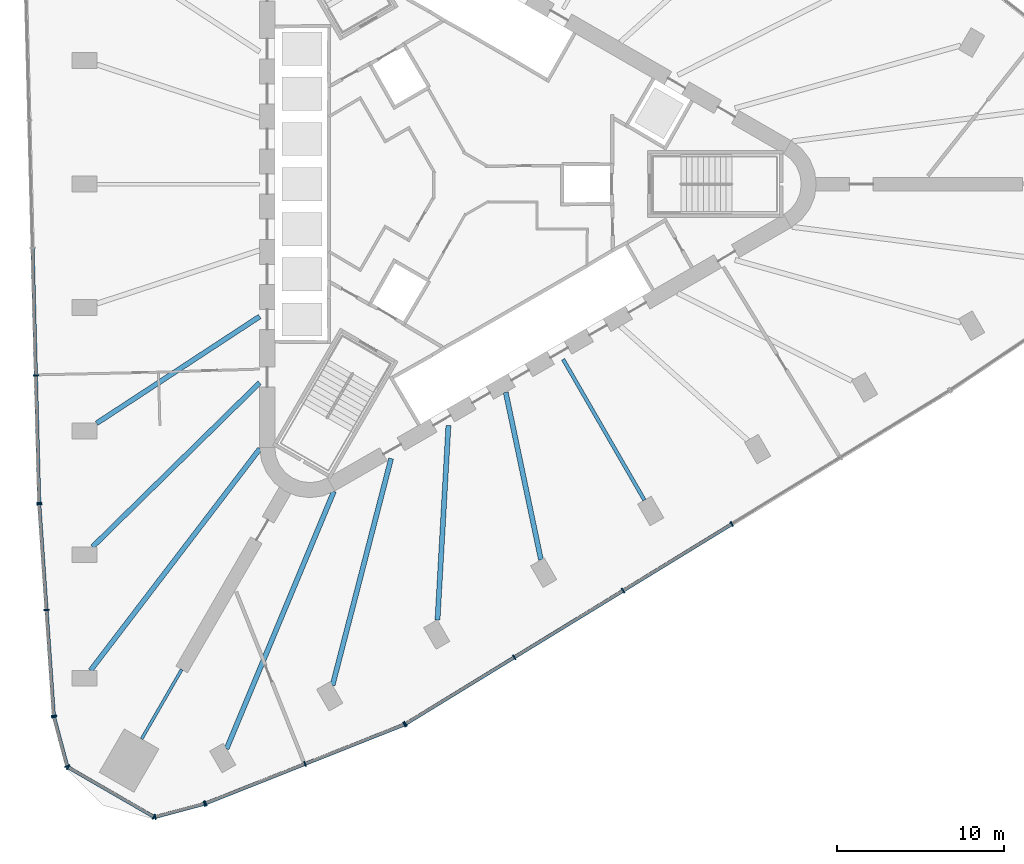
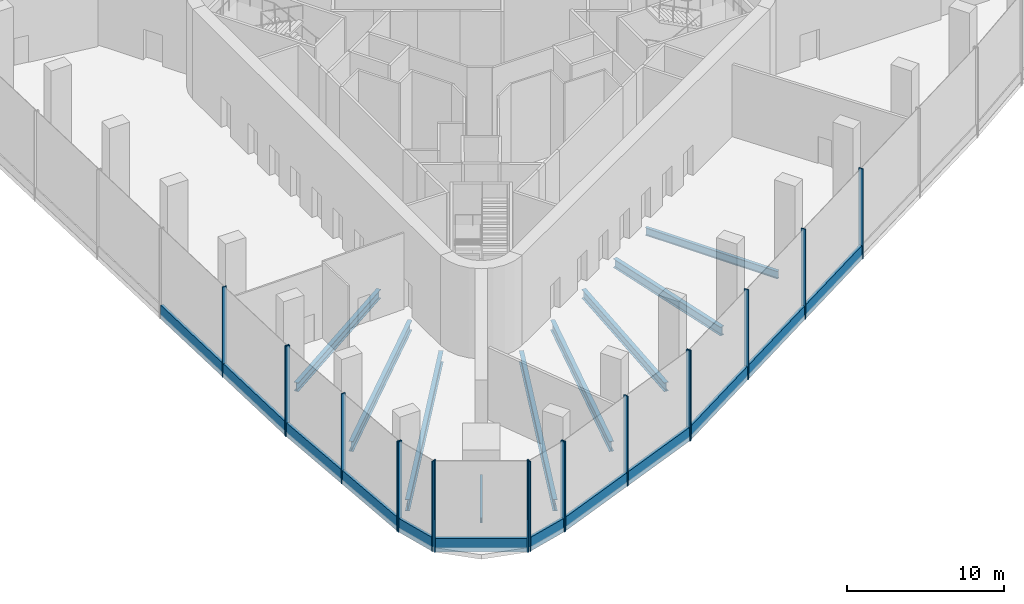
# One storey, part 2 of 15: 30 members, 9 beams, 7 elements without a shape of their own.
"""IFC4 building model written with IfcOpenShell, lengths in metres."""

from ifc_helpers import new_model, si_unit, direction, frame, origin, origin_2d, place, context, subcontext, project, spatial, rectangle, i_section, extrude, material, material_profile, profile_set, type_object, element, aggregate, save


model = new_model("IFC4")

# Units and contexts
model_context = context("Model", 3, precision=1e-05, world=origin(), true_north=direction((0.0, 1.0)))
body_context = subcontext(model_context, "Body", "Model", "MODEL_VIEW")
ifc_project = project(units=[si_unit("LENGTHUNIT", "METRE"), si_unit("AREAUNIT", "SQUARE_METRE"), si_unit("VOLUMEUNIT", "CUBIC_METRE"), si_unit("PLANEANGLEUNIT", "RADIAN"), si_unit("MASSUNIT", "GRAM", prefix="KILO")], contexts=[model_context])

# Site, building, storey
site_placement = place(None, origin())
site = spatial("IfcSite", under=ifc_project, at=site_placement, CompositionType="ELEMENT")
building_placement = place(site_placement, origin())
building = spatial("IfcBuilding", under=site, at=building_placement, Name="Tanit Gate Tower", CompositionType="ELEMENT")
storey_placement = place(building_placement, frame((0.0, 0.0, 156.199951171875)))
storey = spatial("IfcBuildingStorey", under=building, at=storey_placement, Name="L34", CompositionType="ELEMENT", Elevation=156.199951171875)

# Curtain wall, members
ifc_material_1 = material(Name="Aluminium bronze anodised and glass", Category="aluminium")
curtain_wall_type = type_object("IfcCurtainWallType", Name="Curtain wall sky lobby", PredefinedType="NOTDEFINED", material=ifc_material_1)
curtain_wall_1_placement = place(storey_placement, origin())
curtain_wall_1 = element("IfcCurtainWall", 1, at=curtain_wall_1_placement, inside=storey, type_object=curtain_wall_type, Name="Curtain wall L34 W2", PredefinedType="NOTDEFINED")
ifc_material_2 = material(Name="Aluminium bronze anodised", Category="aluminium")
ifc_material_profile_1 = material_profile(ifc_material_2, rectangle(XDim=0.320068359375, YDim=0.080078125, at=origin_2d()), Name="80x320 bronze mullion")
ifc_profile_set_1 = profile_set([ifc_material_profile_1], Name="Aluminium bronze anodised")
member_type_1 = type_object("IfcMemberType", Name="Mullion 80x320 sky lobby", PredefinedType="MULLION", material=ifc_profile_set_1)
member_1_placement = place(storey_placement, frame((-25.49072265625, -11.444580078125, -0.349853515625), z_axis=(0.0, 0.0, 1.0), x_axis=(0.999663917086, 0.025923982634, 0.0)))
member_1 = element("IfcMember", 2, at=member_1_placement, type_object=member_type_1, Name="Mullion L34 W2.5", PredefinedType="MULLION", context=body_context, shape_type="SweptSolid", body=[
    extrude(rectangle(XDim=0.320068359375, YDim=0.080078125, at=origin_2d()), origin(), (0.0, 0.0, 1.0), 7.0),
])
member_2_placement = place(storey_placement, frame((-25.292724609375, -19.07373046875, -0.349853515625), z_axis=(0.0, 0.0, 1.0), x_axis=(0.999663917086, 0.025923982634, 0.0)))
member_2 = element("IfcMember", 3, at=member_2_placement, type_object=member_type_1, Name="Mullion L34 W2.6", PredefinedType="MULLION", context=body_context, shape_type="SweptSolid", body=[
    extrude(rectangle(XDim=0.320068359375, YDim=0.080078125, at=origin_2d()), origin(), (0.0, 0.0, 1.0), 7.0),
])

curtain_wall_2_placement = place(storey_placement, origin())
curtain_wall_2 = element("IfcCurtainWall", 4, at=curtain_wall_2_placement, inside=storey, type_object=curtain_wall_type, Name="Curtain wall L34 W3", PredefinedType="NOTDEFINED")
member_3_placement = place(storey_placement, frame((-25.2890625, -19.15380859375, -0.349853515625), z_axis=(0.0, 0.0, 1.0), x_axis=(0.997629662315, 0.068811749506, 0.0)))
member_3 = element("IfcMember", 5, at=member_3_placement, type_object=member_type_1, Name="Mullion L34 W3.1", PredefinedType="MULLION", context=body_context, shape_type="SweptSolid", body=[
    extrude(rectangle(XDim=0.320068359375, YDim=0.080078125, at=origin_2d()), origin(), (0.0, 0.0, 1.0), 7.0),
])
member_4_placement = place(storey_placement, frame((-24.8525390625, -25.47998046875, -0.349853515625), z_axis=(0.0, 0.0, 1.0), x_axis=(0.997629662315, 0.068811749506, 0.0)))
member_4 = element("IfcMember", 6, at=member_4_placement, type_object=member_type_1, Name="Mullion L34 W3.2", PredefinedType="MULLION", context=body_context, shape_type="SweptSolid", body=[
    extrude(rectangle(XDim=0.320068359375, YDim=0.080078125, at=origin_2d()), origin(), (0.0, 0.0, 1.0), 7.0),
])
member_5_placement = place(storey_placement, frame((-24.416259765625, -31.80615234375, -0.349853515625), z_axis=(0.0, 0.0, 1.0), x_axis=(0.997629662315, 0.068811749506, 0.0)))
member_5 = element("IfcMember", 7, at=member_5_placement, type_object=member_type_1, Name="Mullion L34 W3.3", PredefinedType="MULLION", context=body_context, shape_type="SweptSolid", body=[
    extrude(rectangle(XDim=0.320068359375, YDim=0.080078125, at=origin_2d()), origin(), (0.0, 0.0, 1.0), 7.0),
])

curtain_wall_3_placement = place(storey_placement, origin())
curtain_wall_3 = element("IfcCurtainWall", 8, at=curtain_wall_3_placement, inside=storey, type_object=curtain_wall_type, Name="Curtain wall L34 SW.arc1", PredefinedType="NOTDEFINED")
member_6_placement = place(storey_placement, frame((-24.403076171875, -31.884521484375, -0.349853515625), z_axis=(0.0, 0.0, 1.0), x_axis=(0.965925826289, 0.258819045103, 0.0)))
member_6 = element("IfcMember", 9, at=member_6_placement, type_object=member_type_1, Name="Mullion L34 SW.arc1.1", PredefinedType="MULLION", context=body_context, shape_type="SweptSolid", body=[
    extrude(rectangle(XDim=0.320068359375, YDim=0.080078125, at=origin_2d()), origin(), (0.0, 0.0, 1.0), 7.0),
])
member_7_placement = place(storey_placement, frame((-23.61328125, -34.832275390625, -0.349853515625), z_axis=(0.0, 0.0, 1.0), x_axis=(0.965925826289, 0.258819045103, 0.0)))
member_7 = element("IfcMember", 10, at=member_7_placement, type_object=member_type_1, Name="Mullion L34 SW.arc1.2", PredefinedType="MULLION", context=body_context, shape_type="SweptSolid", body=[
    extrude(rectangle(XDim=0.320068359375, YDim=0.080078125, at=origin_2d()), origin(), (0.0, 0.0, 1.0), 7.0),
])

curtain_wall_4_placement = place(storey_placement, origin())
curtain_wall_4 = element("IfcCurtainWall", 11, at=curtain_wall_4_placement, inside=storey, type_object=curtain_wall_type, Name="Curtain wall L34 SW.arc2", PredefinedType="NOTDEFINED")
member_8_placement = place(storey_placement, frame((-23.568359375, -34.89111328125, -0.349853515625), z_axis=(0.0, 0.0, 1.0), x_axis=(0.5, 0.866025403784, 0.0)))
member_8 = element("IfcMember", 12, at=member_8_placement, type_object=member_type_1, Name="Mullion L34 SW.arc2.1", PredefinedType="MULLION", context=body_context, shape_type="SweptSolid", body=[
    extrude(rectangle(XDim=0.320068359375, YDim=0.080078125, at=origin_2d()), origin(), (0.0, 0.0, 1.0), 7.0),
])
member_9_placement = place(storey_placement, frame((-18.432373046875, -37.856201171875, -0.349853515625), z_axis=(0.0, 0.0, 1.0), x_axis=(0.5, 0.866025403784, 0.0)))
member_9 = element("IfcMember", 13, at=member_9_placement, type_object=member_type_1, Name="Mullion L34 SW.arc2.2", PredefinedType="MULLION", context=body_context, shape_type="SweptSolid", body=[
    extrude(rectangle(XDim=0.320068359375, YDim=0.080078125, at=origin_2d()), origin(), (0.0, 0.0, 1.0), 7.0),
])

curtain_wall_5_placement = place(storey_placement, origin())
curtain_wall_5 = element("IfcCurtainWall", 14, at=curtain_wall_5_placement, inside=storey, type_object=curtain_wall_type, Name="Curtain wall L34 SW.arc3", PredefinedType="NOTDEFINED")
member_10_placement = place(storey_placement, frame((-18.359130859375, -37.865966796875, -0.349853515625), z_axis=(0.0, 0.0, 1.0), x_axis=(-0.258819045103, 0.965925826289, 0.0)))
member_10 = element("IfcMember", 15, at=member_10_placement, type_object=member_type_1, Name="Mullion L34 SW.arc3.1", PredefinedType="MULLION", context=body_context, shape_type="SweptSolid", body=[
    extrude(rectangle(XDim=0.320068359375, YDim=0.080078125, at=origin_2d()), origin(), (0.0, 0.0, 1.0), 7.0),
])
member_11_placement = place(storey_placement, frame((-15.40673828125, -37.074951171875, -0.349853515625), z_axis=(0.0, 0.0, 1.0), x_axis=(-0.258819045103, 0.965925826289, 0.0)))
member_11 = element("IfcMember", 16, at=member_11_placement, type_object=member_type_1, Name="Mullion L34 SW.arc3.2", PredefinedType="MULLION", context=body_context, shape_type="SweptSolid", body=[
    extrude(rectangle(XDim=0.320068359375, YDim=0.080078125, at=origin_2d()), origin(), (0.0, 0.0, 1.0), 7.0),
])

curtain_wall_6_placement = place(storey_placement, origin())
curtain_wall_6 = element("IfcCurtainWall", 17, at=curtain_wall_6_placement, inside=storey, type_object=curtain_wall_type, Name="Curtain wall L34 SE1", PredefinedType="NOTDEFINED")
member_12_placement = place(storey_placement, frame((-15.3310546875, -37.0498046875, -0.349853515625), z_axis=(0.0, 0.0, 1.0), x_axis=(-0.368937829038, 0.929454075414, 0.0)))
member_12 = element("IfcMember", 18, at=member_12_placement, type_object=member_type_1, Name="Mullion L34 SE1.1", PredefinedType="MULLION", context=body_context, shape_type="SweptSolid", body=[
    extrude(rectangle(XDim=0.320068359375, YDim=0.080078125, at=origin_2d()), origin(), (0.0, 0.0, 1.0), 7.0),
])
member_13_placement = place(storey_placement, frame((-9.38916015625, -34.691162109375, -0.349853515625), z_axis=(0.0, 0.0, 1.0), x_axis=(-0.368937829038, 0.929454075414, 0.0)))
member_13 = element("IfcMember", 19, at=member_13_placement, type_object=member_type_1, Name="Mullion L34 SE1.2", PredefinedType="MULLION", context=body_context, shape_type="SweptSolid", body=[
    extrude(rectangle(XDim=0.320068359375, YDim=0.080078125, at=origin_2d()), origin(), (0.0, 0.0, 1.0), 7.0),
])
member_14_placement = place(storey_placement, frame((-3.447265625, -32.332763671875, -0.349853515625), z_axis=(0.0, 0.0, 1.0), x_axis=(-0.368937829038, 0.929454075414, 0.0)))
member_14 = element("IfcMember", 20, at=member_14_placement, type_object=member_type_1, Name="Mullion L34 SE1.3", PredefinedType="MULLION", context=body_context, shape_type="SweptSolid", body=[
    extrude(rectangle(XDim=0.320068359375, YDim=0.080078125, at=origin_2d()), origin(), (0.0, 0.0, 1.0), 7.0),
])

curtain_wall_7_placement = place(storey_placement, origin())
curtain_wall_7 = element("IfcCurtainWall", 21, at=curtain_wall_7_placement, inside=storey, type_object=curtain_wall_type, Name="Curtain wall L34 SE2", PredefinedType="NOTDEFINED")
member_15_placement = place(storey_placement, frame((-3.3759765625, -32.297119140625, -0.349853515625), z_axis=(0.0, 0.0, 1.0), x_axis=(-0.522282786071, 0.852772356127, 0.0)))
member_15 = element("IfcMember", 22, at=member_15_placement, type_object=member_type_1, Name="Mullion L34 SE2.1", PredefinedType="MULLION", context=body_context, shape_type="SweptSolid", body=[
    extrude(rectangle(XDim=0.320068359375, YDim=0.080078125, at=origin_2d()), origin(), (0.0, 0.0, 1.0), 7.0),
])
member_16_placement = place(storey_placement, frame((3.132080078125, -28.31103515625, -0.349853515625), z_axis=(0.0, 0.0, 1.0), x_axis=(-0.522282786071, 0.852772356127, 0.0)))
member_16 = element("IfcMember", 23, at=member_16_placement, type_object=member_type_1, Name="Mullion L34 SE2.2", PredefinedType="MULLION", context=body_context, shape_type="SweptSolid", body=[
    extrude(rectangle(XDim=0.320068359375, YDim=0.080078125, at=origin_2d()), origin(), (0.0, 0.0, 1.0), 7.0),
])
member_17_placement = place(storey_placement, frame((9.640380859375, -24.3251953125, -0.349853515625), z_axis=(0.0, 0.0, 1.0), x_axis=(-0.522282786071, 0.852772356127, 0.0)))
member_17 = element("IfcMember", 24, at=member_17_placement, type_object=member_type_1, Name="Mullion L34 SE2.3", PredefinedType="MULLION", context=body_context, shape_type="SweptSolid", body=[
    extrude(rectangle(XDim=0.320068359375, YDim=0.080078125, at=origin_2d()), origin(), (0.0, 0.0, 1.0), 7.0),
])
member_18_placement = place(storey_placement, frame((16.1484375, -20.339111328125, -0.349853515625), z_axis=(0.0, 0.0, 1.0), x_axis=(-0.522282786071, 0.852772356127, 0.0)))
member_18 = element("IfcMember", 25, at=member_18_placement, type_object=member_type_1, Name="Mullion L34 SE2.4", PredefinedType="MULLION", context=body_context, shape_type="SweptSolid", body=[
    extrude(rectangle(XDim=0.320068359375, YDim=0.080078125, at=origin_2d()), origin(), (0.0, 0.0, 1.0), 7.0),
])

# Beams
ifc_material_3 = material(Name="Steel S355", Category="steel")
ifc_material_profile_2 = material_profile(ifc_material_3, i_section(OverallWidth=0.300048828125, OverallDepth=0.68994140625, WebThickness=0.014404296875, FlangeThickness=0.027099609375, FilletRadius=0.027099609375, at=origin_2d()), Name="HEA 700")
ifc_profile_set_2 = profile_set([ifc_material_profile_2], Name="Steel S355")
beam_type_1 = type_object("IfcBeamType", Name="RADIAL GIRDER HEA 700 S355", PredefinedType="BEAM", material=ifc_profile_set_2)
beam_1_placement = place(storey_placement, frame((-21.856689453125, -14.307861328125, -0.695068359375), z_axis=(0.836666622901, 0.547712481256, 0.0), x_axis=(-0.547712481256, 0.836666622901, 0.0)))
element("IfcBeam", 26, at=beam_1_placement, inside=storey, type_object=beam_type_1, Name="RADIAL GIRDER", PredefinedType="BEAM", context=body_context, shape_type="SweptSolid", body=[
    extrude(i_section(OverallWidth=0.300048828125, OverallDepth=0.68994140625, WebThickness=0.014404296875, FlangeThickness=0.027099609375, FilletRadius=0.027099609375, at=origin_2d()), origin(), (0.0, 0.0, 1.0), 11.658935546875),
])
beam_2_placement = place(storey_placement, frame((-1.46240234375, -26.08251953125, -0.695068359375), z_axis=(0.055972182093, 0.998432328619, 0.0), x_axis=(-0.998432328619, 0.055972182093, 0.0)))
element("IfcBeam", 27, at=beam_2_placement, inside=storey, type_object=beam_type_1, Name="RADIAL GIRDER", PredefinedType="BEAM", context=body_context, shape_type="SweptSolid", body=[
    extrude(i_section(OverallWidth=0.300048828125, OverallDepth=0.68994140625, WebThickness=0.014404296875, FlangeThickness=0.027099609375, FilletRadius=0.027099609375, at=origin_2d()), origin(), (0.0, 0.0, 1.0), 11.6591796875),
])
beam_3_placement = place(storey_placement, frame((4.7275390625, -22.48046875, -0.695068359375), z_axis=(-0.205786947525, 0.978596818015, 0.0), x_axis=(-0.978596818015, -0.205786947525, 0.0)))
element("IfcBeam", 28, at=beam_3_placement, inside=storey, type_object=beam_type_1, Name="RADIAL GIRDER", PredefinedType="BEAM", context=body_context, shape_type="SweptSolid", body=[
    extrude(i_section(OverallWidth=0.300048828125, OverallDepth=0.68994140625, WebThickness=0.014404296875, FlangeThickness=0.027099609375, FilletRadius=0.027099609375, at=origin_2d()), origin(), (0.0, 0.0, 1.0), 10.238525390625),
])
ifc_material_4 = material(Name="Steel S355", Category="steel")
ifc_material_profile_3 = material_profile(ifc_material_4, i_section(OverallWidth=0.300048828125, OverallDepth=0.7900390625, WebThickness=0.014892578125, FlangeThickness=0.028076171875, FilletRadius=0.030029296875, at=origin_2d()), Name="HEA 800")
ifc_profile_set_3 = profile_set([ifc_material_profile_3], Name="Steel S355")
beam_type_2 = type_object("IfcBeamType", Name="RADIAL GIRDER HEA 800 S355", PredefinedType="BEAM", material=ifc_profile_set_3)
for number, where, z_axis, x_axis, name in (
    (29, (-22.0986328125, -21.69921875, -0.744873046875), (0.713525004951, 0.70062976479, 0.0), (-0.70062976479, 0.713525004951, 0.0), "RADIAL GIRDER"),
    (30, (-7.742919921875, -29.98779296875, -0.744873046875), (0.250007137307, 0.968243993679, 0.0), (-0.968243993679, 0.250007137307, 0.0), "RADIAL GIRDER"),
):
    element("IfcBeam", number, at=place(storey_placement, frame(where, z_axis=z_axis, x_axis=x_axis)), inside=storey, type_object=beam_type_2, Name=name, PredefinedType="BEAM", context=body_context, shape_type="SweptSolid", body=[
        extrude(i_section(OverallWidth=0.300048828125, OverallDepth=0.7900390625, WebThickness=0.014892578125, FlangeThickness=0.028076171875, FilletRadius=0.030029296875, at=origin_2d()), origin(), (0.0, 0.0, 1.0), 14.01025390625),
    ])
ifc_material_5 = material(Name="Steel S355", Category="steel")
ifc_material_profile_4 = material_profile(ifc_material_5, i_section(OverallWidth=0.300048828125, OverallDepth=0.889892578125, WebThickness=0.01611328125, FlangeThickness=0.030029296875, FilletRadius=0.030029296875, at=origin_2d()), Name="HEA 900")
ifc_profile_set_4 = profile_set([ifc_material_profile_4], Name="Steel S355")
beam_type_3 = type_object("IfcBeamType", Name="RADIAL GIRDER HEA 900 S355", PredefinedType="BEAM", material=ifc_profile_set_4)
for number, where, z_axis, x_axis, name in (
    (31, (-22.219482421875, -29.0908203125, -0.794921875), (0.606989396765, 0.794709929606, 0.0), (-0.794709929606, 0.606989396765, 0.0), "RADIAL GIRDER"),
    (32, (-14.08349609375, -33.7880859375, -0.794921875), (0.384731757577, 0.923028425733, 0.0), (-0.923028425733, 0.384731757577, 0.0), "RADIAL GIRDER"),
):
    element("IfcBeam", number, at=place(storey_placement, frame(where, z_axis=z_axis, x_axis=x_axis)), inside=storey, type_object=beam_type_3, Name=name, PredefinedType="BEAM", context=body_context, shape_type="SweptSolid", body=[
        extrude(i_section(OverallWidth=0.300048828125, OverallDepth=0.889892578125, WebThickness=0.01611328125, FlangeThickness=0.030029296875, FilletRadius=0.030029296875, at=origin_2d()), origin(), (0.0, 0.0, 1.0), 16.68359375),
    ])
ifc_material_6 = material(Name="Steel S355", Category="steel")
ifc_material_profile_5 = material_profile(ifc_material_6, i_section(OverallWidth=0.179931640625, OverallDepth=0.39990234375, WebThickness=0.008544921875, FlangeThickness=0.013427734375, FilletRadius=0.02099609375, at=origin_2d()), Name="IPE 400")
ifc_profile_set_5 = profile_set([ifc_material_profile_5], Name="Steel S355")
beam_type_4 = type_object("IfcBeamType", Name="RADIAL GIRDER IPE 400 S355", PredefinedType="BEAM", material=ifc_profile_set_5)
beam_4_placement = place(storey_placement, frame((-19.1650390625, -33.19482421875, -0.550048828125), z_axis=(0.499998569178, 0.866026229868, 0.0), x_axis=(-0.866026229868, 0.499998569178, 0.0)))
element("IfcBeam", 33, at=beam_4_placement, inside=storey, type_object=beam_type_4, Name="RADIAL GIRDER", PredefinedType="BEAM", context=body_context, shape_type="SweptSolid", body=[
    extrude(i_section(OverallWidth=0.179931640625, OverallDepth=0.39990234375, WebThickness=0.008544921875, FlangeThickness=0.013427734375, FilletRadius=0.02099609375, at=origin_2d()), origin(), (0.0, 0.0, 1.0), 4.79638671875),
])
ifc_material_7 = material(Name="Steel S355", Category="steel")
ifc_material_profile_6 = material_profile(ifc_material_7, i_section(OverallWidth=0.219970703125, OverallDepth=0.60009765625, WebThickness=0.011962890625, FlangeThickness=0.01904296875, FilletRadius=0.02392578125, at=origin_2d()), Name="IPE 600")
ifc_profile_set_6 = profile_set([ifc_material_profile_6], Name="Steel S355")
beam_type_5 = type_object("IfcBeamType", Name="RADIAL GIRDER IPE 600 S355", PredefinedType="BEAM", material=ifc_profile_set_6)
beam_5_placement = place(storey_placement, frame((10.916259765625, -18.907470703125, -0.64990234375), z_axis=(-0.500003351622, 0.866023468716, 0.0), x_axis=(-0.866023468716, -0.500003351622, 0.0)))
element("IfcBeam", 34, at=beam_5_placement, inside=storey, type_object=beam_type_5, Name="RADIAL GIRDER", PredefinedType="BEAM", context=body_context, shape_type="SweptSolid", body=[
    extrude(i_section(OverallWidth=0.219970703125, OverallDepth=0.60009765625, WebThickness=0.011962890625, FlangeThickness=0.01904296875, FilletRadius=0.02392578125, at=origin_2d()), origin(), (0.0, 0.0, 1.0), 9.73046875),
])

# Member
ifc_material_8 = material(Name="Aluminium bronze anodised", Category="aluminium")
ifc_material_profile_7 = material_profile(ifc_material_8, rectangle(XDim=0.199951171875, YDim=1.050048828125, at=origin_2d()), Name="200x1050 bronze transom")
ifc_profile_set_7 = profile_set([ifc_material_profile_7], Name="Aluminium bronze anodised")
member_type_2 = type_object("IfcMemberType", Name="Transom 200x1050 sky lobby", PredefinedType="USERDEFINED", material=ifc_profile_set_7)
member_19_placement = place(storey_placement, frame((-25.6875, -3.855224609375, 0.175048828125), z_axis=(0.025927507541, -0.99966382567, 0.0), x_axis=(0.99966382567, 0.025927507541, 0.0)))
member_19 = element("IfcMember", 35, at=member_19_placement, type_object=member_type_2, Name="Transom L34 W2.4", ObjectType="TRANSOM", PredefinedType="USERDEFINED", context=body_context, shape_type="SweptSolid", body=[
    extrude(rectangle(XDim=0.199951171875, YDim=1.050048828125, at=origin_2d()), origin(), (0.0, 0.0, 1.0), 7.5517578125),
])

member_20_placement = place(storey_placement, frame((-25.489501953125, -11.484619140625, 0.175048828125), z_axis=(0.025928345485, -0.999663803936, 0.0), x_axis=(0.999663803936, 0.025928345485, 0.0)))
member_20 = element("IfcMember", 36, at=member_20_placement, type_object=member_type_2, Name="Transom L34 W2.5", ObjectType="TRANSOM", PredefinedType="USERDEFINED", context=body_context, shape_type="SweptSolid", body=[
    extrude(rectangle(XDim=0.199951171875, YDim=1.050048828125, at=origin_2d()), origin(), (0.0, 0.0, 1.0), 7.551513671875),
])

aggregate(curtain_wall_1, [member_1, member_2, member_19, member_20])

member_21_placement = place(storey_placement, frame((-25.2861328125, -19.193603515625, 0.175048828125), z_axis=(0.068783356585, -0.997631620317, 0.0), x_axis=(0.997631620317, 0.068783356585, 0.0)))
member_21 = element("IfcMember", 37, at=member_21_placement, type_object=member_type_2, Name="Transom L34 W3.1", ObjectType="TRANSOM", PredefinedType="USERDEFINED", context=body_context, shape_type="SweptSolid", body=[
    extrude(rectangle(XDim=0.199951171875, YDim=1.050048828125, at=origin_2d()), origin(), (0.0, 0.0, 1.0), 6.26123046875),
])

member_22_placement = place(storey_placement, frame((-24.849853515625, -25.519775390625, 0.175048828125), z_axis=(0.068822164781, -0.997628943864, 0.0), x_axis=(0.997628943864, 0.068822164781, 0.0)))
member_22 = element("IfcMember", 38, at=member_22_placement, type_object=member_type_2, Name="Transom L34 W3.2", ObjectType="TRANSOM", PredefinedType="USERDEFINED", context=body_context, shape_type="SweptSolid", body=[
    extrude(rectangle(XDim=0.199951171875, YDim=1.050048828125, at=origin_2d()), origin(), (0.0, 0.0, 1.0), 6.26123046875),
])

aggregate(curtain_wall_2, [member_3, member_4, member_5, member_21, member_22])

member_23_placement = place(storey_placement, frame((-24.392822265625, -31.92333984375, 0.175048828125), z_axis=(0.258797684861, -0.965931549495, 0.0), x_axis=(0.965931549495, 0.258797684861, 0.0)))
member_23 = element("IfcMember", 39, at=member_23_placement, type_object=member_type_2, Name="Transom L34 SW.arc1.1", ObjectType="TRANSOM", PredefinedType="USERDEFINED", context=body_context, shape_type="SweptSolid", body=[
    extrude(rectangle(XDim=0.199951171875, YDim=1.050048828125, at=origin_2d()), origin(), (0.0, 0.0, 1.0), 2.9716796875),
])

aggregate(curtain_wall_3, [member_6, member_7, member_23])

member_24_placement = place(storey_placement, frame((-23.53369140625, -34.9111328125, 0.175048828125), z_axis=(0.866038958402, -0.499976521978, 0.0), x_axis=(0.499976521978, 0.866038958402, 0.0)))
member_24 = element("IfcMember", 40, at=member_24_placement, type_object=member_type_2, Name="Transom L34 SW.arc2.1", ObjectType="TRANSOM", PredefinedType="USERDEFINED", context=body_context, shape_type="SweptSolid", body=[
    extrude(rectangle(XDim=0.199951171875, YDim=1.050048828125, at=origin_2d()), origin(), (0.0, 0.0, 1.0), 5.850341796875),
])

aggregate(curtain_wall_4, [member_8, member_9, member_24])

member_25_placement = place(storey_placement, frame((-18.320556640625, -37.85546875, 0.175048828125), z_axis=(0.965933406887, 0.25879075227, 0.0), x_axis=(-0.25879075227, 0.965933406887, 0.0)))
member_25 = element("IfcMember", 41, at=member_25_placement, type_object=member_type_2, Name="Transom L34 SW.arc3.1", ObjectType="TRANSOM", PredefinedType="USERDEFINED", context=body_context, shape_type="SweptSolid", body=[
    extrude(rectangle(XDim=0.199951171875, YDim=1.050048828125, at=origin_2d()), origin(), (0.0, 0.0, 1.0), 2.976318359375),
])

aggregate(curtain_wall_5, [member_10, member_11, member_25])

member_26_placement = place(storey_placement, frame((-15.293701171875, -37.034912109375, 0.175048828125), z_axis=(0.929462927587, 0.368915527244, 0.0), x_axis=(-0.368915527244, 0.929462927587, 0.0)))
member_26 = element("IfcMember", 42, at=member_26_placement, type_object=member_type_2, Name="Transom L34 SE1.1", ObjectType="TRANSOM", PredefinedType="USERDEFINED", context=body_context, shape_type="SweptSolid", body=[
    extrude(rectangle(XDim=0.199951171875, YDim=1.050048828125, at=origin_2d()), origin(), (0.0, 0.0, 1.0), 6.312744140625),
])

member_27_placement = place(storey_placement, frame((-9.35205078125, -34.676513671875, 0.175048828125), z_axis=(0.929449665967, 0.368948937433, 0.0), x_axis=(-0.368948937433, 0.929449665967, 0.0)))
member_27 = element("IfcMember", 43, at=member_27_placement, type_object=member_type_2, Name="Transom L34 SE1.2", ObjectType="TRANSOM", PredefinedType="USERDEFINED", context=body_context, shape_type="SweptSolid", body=[
    extrude(rectangle(XDim=0.199951171875, YDim=1.050048828125, at=origin_2d()), origin(), (0.0, 0.0, 1.0), 6.312744140625),
])

aggregate(curtain_wall_6, [member_12, member_13, member_14, member_26, member_27])

member_28_placement = place(storey_placement, frame((-3.342041015625, -32.276123046875, 0.175048828125), z_axis=(0.852776373324, 0.52227622682, 0.0), x_axis=(-0.52227622682, 0.852776373324, 0.0)))
member_28 = element("IfcMember", 44, at=member_28_placement, type_object=member_type_2, Name="Transom L34 SE2.1", ObjectType="TRANSOM", PredefinedType="USERDEFINED", context=body_context, shape_type="SweptSolid", body=[
    extrude(rectangle(XDim=0.199951171875, YDim=1.050048828125, at=origin_2d()), origin(), (0.0, 0.0, 1.0), 7.5517578125),
])

member_29_placement = place(storey_placement, frame((3.166259765625, -28.290283203125, 0.175048828125), z_axis=(0.852761974363, 0.522299736819, 0.0), x_axis=(-0.522299736819, 0.852761974363, 0.0)))
member_29 = element("IfcMember", 45, at=member_29_placement, type_object=member_type_2, Name="Transom L34 SE2.2", ObjectType="TRANSOM", PredefinedType="USERDEFINED", context=body_context, shape_type="SweptSolid", body=[
    extrude(rectangle(XDim=0.199951171875, YDim=1.050048828125, at=origin_2d()), origin(), (0.0, 0.0, 1.0), 7.5517578125),
])

member_30_placement = place(storey_placement, frame((9.67431640625, -24.30419921875, 0.175048828125), z_axis=(0.852776373324, 0.52227622682, 0.0), x_axis=(-0.52227622682, 0.852776373324, 0.0)))
member_30 = element("IfcMember", 46, at=member_30_placement, type_object=member_type_2, Name="Transom L34 SE2.3", ObjectType="TRANSOM", PredefinedType="USERDEFINED", context=body_context, shape_type="SweptSolid", body=[
    extrude(rectangle(XDim=0.199951171875, YDim=1.050048828125, at=origin_2d()), origin(), (0.0, 0.0, 1.0), 7.5517578125),
])

aggregate(curtain_wall_7, [member_15, member_16, member_17, member_18, member_28, member_29, member_30])

save(model, "model.ifc")
